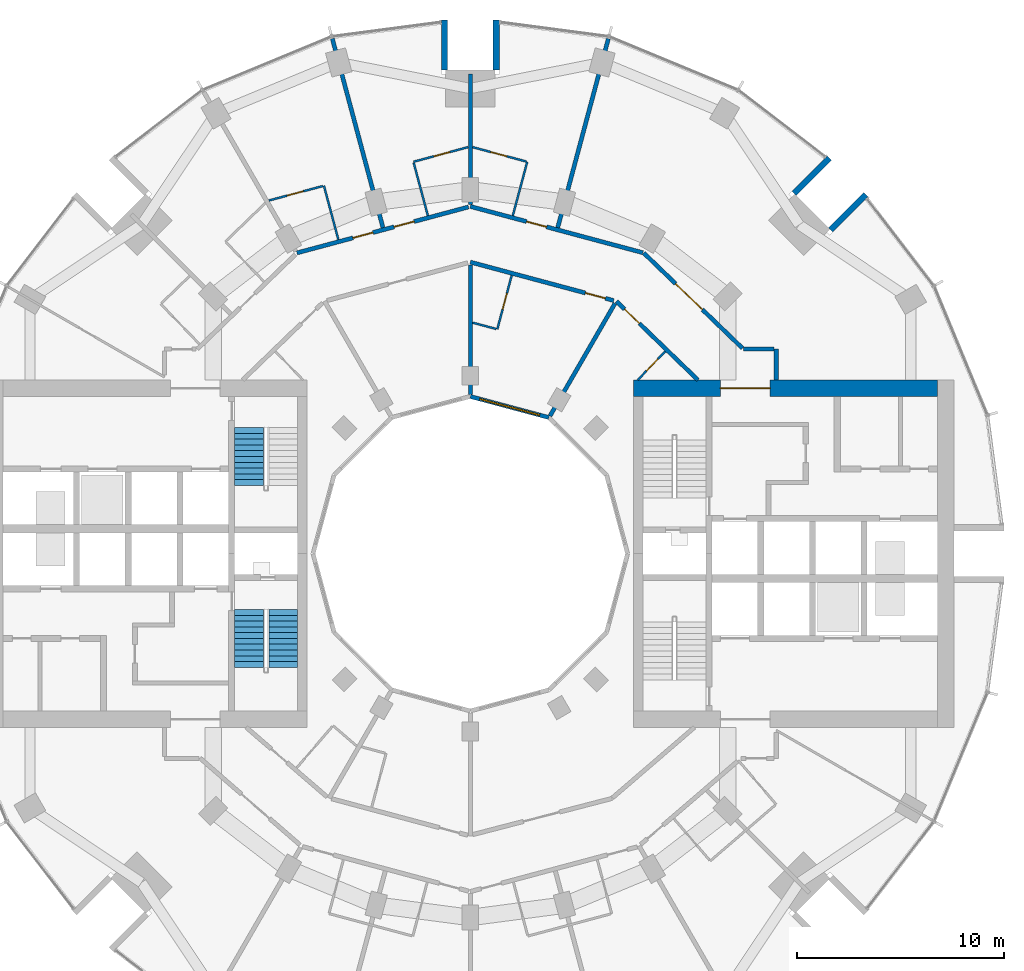
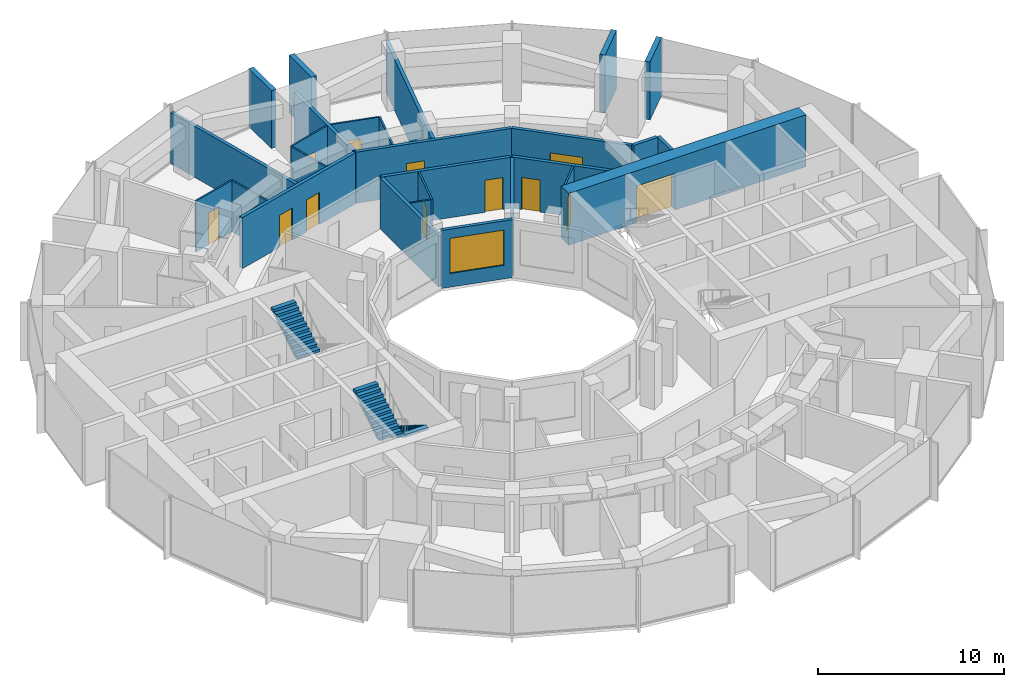
# One storey, part 12 of 15: 27 walls, 12 doors, 3 stair flights, 1 window, 13 openings, 2 elements without a shape of their own.
"""IFC4 building model written with IfcOpenShell, lengths in metres."""

import ifcopenshell
import ifcopenshell.guid

model = None  # the IFC model being written
_history = None  # IfcOwnerHistory: only IFC2X3 demands one
_inside = {}  # id of a spatial element -> (the spatial element, [elements in it])
_under = {}  # id of a project, library or spatial element -> (it, [spatial elements below it])
_declared = {}  # id of a project -> (the project, [libraries it declares])
_typed = {}  # id of a type object -> (the type object, [elements of that type])
_made_of = {}  # id of a material, layer set ... -> (it, [elements and type objects made of it])


def new_model(schema):
    """Start an empty IFC model of exactly this schema.

    Asked for "IFC4X3", IfcOpenShell would pick the latest addendum, in which some entities
    have other attributes; the version numbers below select the first issue.
    IFC2X3 requires an IfcOwnerHistory on every rooted entity: one is made here for all.
    """
    global model, _history
    if schema == "IFC4X3":
        model = ifcopenshell.file(schema_version=(4, 3, 0, 0))
    else:
        model = ifcopenshell.file(schema=schema)
    _inside.clear()
    _under.clear()
    _declared.clear()
    _typed.clear()
    _made_of.clear()
    _history = None
    if model.schema == "IFC2X3":
        org = make("IfcOrganization", Name="unknown")
        user = make(
            "IfcPersonAndOrganization",
            ThePerson=make("IfcPerson", FamilyName="unknown"),
            TheOrganization=org,
        )
        app = make(
            "IfcApplication",
            ApplicationDeveloper=org,
            Version="unknown",
            ApplicationFullName="unknown",
            ApplicationIdentifier="unknown",
        )
        _history = make(
            "IfcOwnerHistory",
            OwningUser=user,
            OwningApplication=app,
            ChangeAction="ADDED",
            CreationDate=0,
        )
    return model


def make(cls, **values):
    """One entity of the class cls with the attributes given. An attribute that is None is left unset."""
    return model.create_entity(
        cls, **{name: value for name, value in values.items() if value is not None}
    )


def rooted(cls, **values):
    """An entity with a GlobalId (a new one), such as an element, a storey or a relation."""
    return make(cls, GlobalId=ifcopenshell.guid.new(), OwnerHistory=_history, **values)


def si_unit(unit_type, name, prefix=None):
    """IfcSIUnit, for example si_unit("LENGTHUNIT", "METRE", prefix="MILLI")."""
    return make("IfcSIUnit", UnitType=unit_type, Prefix=prefix, Name=name)


def assignment(units):
    """IfcUnitAssignment: the units of a project."""
    return None if units is None else make("IfcUnitAssignment", Units=units)


def point(xyz):
    """IfcCartesianPoint."""
    return None if xyz is None else make("IfcCartesianPoint", Coordinates=xyz)


def direction(xyz):
    """IfcDirection."""
    return None if xyz is None else make("IfcDirection", DirectionRatios=xyz)


def frame(location, z_axis=None, x_axis=None):
    """IfcAxis2Placement3D, a coordinate frame: its origin and axes. An axis left out is left unset."""
    return make(
        "IfcAxis2Placement3D",
        Location=point(location),
        Axis=direction(z_axis),
        RefDirection=direction(x_axis),
    )


def frame_2d(location, x_axis=None):
    """IfcAxis2Placement2D, a coordinate frame in the plane: its origin and x axis."""
    return make(
        "IfcAxis2Placement2D", Location=point(location), RefDirection=direction(x_axis)
    )


def origin():
    """The frame at (0, 0, 0) with its axes left unset."""
    return frame((0.0, 0.0, 0.0))


def place(relative_to, where):
    """IfcLocalPlacement: puts the frame where relative to a parent placement (None: the world)."""
    return make(
        "IfcLocalPlacement", PlacementRelTo=relative_to, RelativePlacement=where
    )


def context(
    kind, dimensions, precision=None, world=None, true_north=None, identifier=None
):
    """IfcGeometricRepresentationContext, for example the 3D "Model" context."""
    return make(
        "IfcGeometricRepresentationContext",
        ContextIdentifier=identifier,
        ContextType=kind,
        CoordinateSpaceDimension=dimensions,
        Precision=precision,
        WorldCoordinateSystem=world,
        TrueNorth=true_north,
    )


def subcontext(parent, identifier, kind, view, scale=None):
    """IfcGeometricRepresentationSubContext, for example "Body" below "Model"."""
    return make(
        "IfcGeometricRepresentationSubContext",
        ContextIdentifier=identifier,
        ContextType=kind,
        ParentContext=parent,
        TargetScale=scale,
        TargetView=view,
    )


def project(units=None, contexts=None):
    """IfcProject with its units and contexts."""
    return rooted(
        "IfcProject",
        Name="project",
        RepresentationContexts=contexts,
        UnitsInContext=assignment(units),
    )


def spatial(cls, under=None, at=None, **own):
    """A site, building, storey or space (cls), placed at a placement, below another one or the project."""
    s = rooted(cls, ObjectPlacement=at, **own)
    if under is not None:
        _under.setdefault(under.id(), (under, []))[1].append(s)
    return s


def polyline(points):
    """IfcPolyline through the points."""
    return make("IfcPolyline", Points=[point(p) for p in points])


def profile(cls, at=None, kind="AREA", **sizes):
    """A parametric profile (cls). Its sizes go by their IFC names, for example OverallWidth=200.0."""
    return make(cls, ProfileType=kind, Position=at, **sizes)


def rectangle(**sizes):
    """IfcRectangleProfileDef."""
    return profile("IfcRectangleProfileDef", **sizes)


def outline(outer, holes=None, kind="AREA"):
    """IfcArbitraryClosedProfileDef: a profile drawn as a closed curve; with holes, ...WithVoids."""
    if holes is None:
        return make("IfcArbitraryClosedProfileDef", ProfileType=kind, OuterCurve=outer)
    return make(
        "IfcArbitraryProfileDefWithVoids",
        ProfileType=kind,
        OuterCurve=outer,
        InnerCurves=holes,
    )


def extrude(swept, where, along, depth):
    """IfcExtrudedAreaSolid: the profile swept, set in the frame where, extruded along a direction by depth."""
    return make(
        "IfcExtrudedAreaSolid",
        SweptArea=swept,
        Position=where,
        ExtrudedDirection=direction(along),
        Depth=depth,
    )


def shape(context_of_items, identifier, shape_type, items):
    """IfcShapeRepresentation: the items that make up one representation, for example the "Body"."""
    return make(
        "IfcShapeRepresentation",
        ContextOfItems=context_of_items,
        RepresentationIdentifier=identifier,
        RepresentationType=shape_type,
        Items=items,
    )


def material(Name=None, Category=None):
    """IfcMaterial."""
    return make("IfcMaterial", Name=Name, Category=Category)


def layer(
    of_material, thickness, ventilated=None, Name=None, Category=None, Priority=None
):
    """IfcMaterialLayer: one layer of a wall or slab, of a material (None: an air gap)."""
    return make(
        "IfcMaterialLayer",
        Material=of_material,
        LayerThickness=thickness,
        IsVentilated=ventilated,
        Name=Name,
        Category=Category,
        Priority=Priority,
    )


def layer_set(layers, Name=None):
    """IfcMaterialLayerSet."""
    return make("IfcMaterialLayerSet", MaterialLayers=layers, LayerSetName=Name)


def made_of(thing, what):
    """Note that an element or type object is made of a material, layer set ...; save() writes the relation."""
    if what is not None:
        _made_of.setdefault(what.id(), (what, []))[1].append(thing)
    return thing


def type_object(cls, material=None, **own):
    """A type object (cls), such as IfcWallType, which elements share."""
    return made_of(rooted(cls, **own), material)


def element(
    cls,
    number,
    at=None,
    inside=None,
    cuts=None,
    type_object=None,
    material=None,
    context=None,
    identifier="Body",
    shape_type=None,
    held_by="IfcProductDefinitionShape",
    body=None,
    shapes=None,
    **own,
):
    """One element of the class cls, such as IfcWall. Its Tag is "e" and its number.

    at: its placement. inside: the storey or other place that contains it. cuts: it is an
    opening in that element (IfcRelVoidsElement). A single representation is given by context,
    identifier, shape_type and body (its items); several are given by shapes. held_by: the class
    of the entity that holds the representations. save() writes the other relations.
    """
    e = rooted(cls, Tag="e%d" % number, ObjectPlacement=at, **own)
    if body is not None:
        shapes = [shape(context, identifier, shape_type, body)]
    if shapes is not None:
        e.Representation = make(held_by, Representations=shapes)
    if inside is not None:
        _inside.setdefault(inside.id(), (inside, []))[1].append(e)
    if cuts is not None:
        rooted(
            "IfcRelVoidsElement", RelatingBuildingElement=cuts, RelatedOpeningElement=e
        )
    if type_object is not None:
        _typed.setdefault(type_object.id(), (type_object, []))[1].append(e)
    return made_of(e, material)


def fill(opening, filler):
    """IfcRelFillsElement: the door or window that sits in an opening."""
    return rooted(
        "IfcRelFillsElement",
        RelatingOpeningElement=opening,
        RelatedBuildingElement=filler,
    )


def aggregate(whole, parts):
    """IfcRelAggregates: a whole, such as a stair, and the parts it consists of."""
    return rooted("IfcRelAggregates", RelatingObject=whole, RelatedObjects=parts)


def save(model, path):
    """Write the relations noted so far, then the file.

    IfcRelAggregates (storeys below a building ...), IfcRelContainedInSpatialStructure (elements
    in a storey), IfcRelDefinesByType, IfcRelAssociatesMaterial and IfcRelDeclares: one each for
    every whole, place, type object, material and project.
    """
    for whole, parts in _under.values():
        aggregate(whole, parts)
    for where, things in _inside.values():
        rooted(
            "IfcRelContainedInSpatialStructure",
            RelatedElements=things,
            RelatingStructure=where,
        )
    for kind, things in _typed.values():
        rooted("IfcRelDefinesByType", RelatedObjects=things, RelatingType=kind)
    for what, things in _made_of.values():
        rooted("IfcRelAssociatesMaterial", RelatedObjects=things, RelatingMaterial=what)
    for by, libraries in _declared.values():
        rooted("IfcRelDeclares", RelatingContext=by, RelatedDefinitions=libraries)
    model.write(path)


model = new_model("IFC4")

# Units and contexts
model_context = context("Model", 3, precision=1e-05, world=origin(), true_north=direction((0.0, 1.0)))
body_context = subcontext(model_context, "Body", "Model", "MODEL_VIEW")
ifc_project = project(units=[si_unit("LENGTHUNIT", "METRE"), si_unit("AREAUNIT", "SQUARE_METRE"), si_unit("VOLUMEUNIT", "CUBIC_METRE"), si_unit("PLANEANGLEUNIT", "RADIAN"), si_unit("MASSUNIT", "GRAM", prefix="KILO")], contexts=[model_context])

# Site, building, storey
site_placement = place(None, origin())
site = spatial("IfcSite", under=ifc_project, at=site_placement, CompositionType="ELEMENT")
building_placement = place(site_placement, origin())
building = spatial("IfcBuilding", under=site, at=building_placement, Name="Torre Brocal", CompositionType="ELEMENT")
storey_placement = place(building_placement, frame((0.0, 0.0, 70.60009765625)))
storey = spatial("IfcBuildingStorey", under=building, at=storey_placement, Name="L16", CompositionType="ELEMENT", Elevation=70.60009765625)

# Wall, opening, door
ifc_material_1 = material(Name="Concrete C80", Category="concrete")
ifc_layer_1 = layer(ifc_material_1, 0.800048828125)
ifc_layer_set_1 = layer_set([ifc_layer_1], Name="Concrete C80")
wall_type_1 = type_object("IfcWallType", Name="CORE WALL 800 C80 UNDER 400 SLAB", PredefinedType="SHEAR", material=ifc_layer_set_1)
wall_1_placement = place(storey_placement, frame((87.89990234375, 83.0, 0.0), z_axis=(0.0, 0.0, 1.0), x_axis=(1.0, 0.0, 0.0)))
wall_1 = element("IfcWall", 1, at=wall_1_placement, inside=storey, type_object=wall_type_1, Name="Wall CW800-80-S400", PredefinedType="SHEAR", context=body_context, shape_type="SweptSolid", body=[
    extrude(rectangle(XDim=14.7001953125, YDim=0.800048828125, at=frame_2d((7.35009765625, 0.0))), origin(), (0.0, 0.0, 1.0), 3.39990234375),
])
opening_1_placement = place(wall_1_placement, frame((4.199951171875, 0.0, 0.0)))
opening_1 = element("IfcOpeningElement", 2, at=opening_1_placement, cuts=wall_1, Name="Opening E-D24", PredefinedType="OPENING", context=body_context, shape_type="SweptSolid", body=[
    extrude(rectangle(XDim=2.39990234375, YDim=2.39990234375, at=frame_2d((1.199951171875, 1.199951171875))), frame((0.0, 0.409912109375, 0.0), z_axis=(0.0, -1.0, 0.0), x_axis=(1.0, 0.0, 0.0)), (0.0, 0.0, 1.0), 0.820068359375),
])
ifc_material_2 = material(Name="Steel A653", Category="steel")
door_type_1 = type_object("IfcDoorType", Name="DOUBLE FIRE DOOR FD90 2400X2400", OperationType="DOUBLE_DOOR_SINGLE_SWING", PredefinedType="DOOR", material=ifc_material_2)
door_1_placement = place(opening_1_placement, frame((2.39990234375, 0.0, 0.0), z_axis=(0.0, 0.0, 1.0), x_axis=(-1.0, 0.0, 0.0)))
door_1 = element("IfcDoor", 3, at=door_1_placement, inside=storey, type_object=door_type_1, Name="Door E-D24", OperationType="DOUBLE_DOOR_SINGLE_SWING", OverallHeight=2.39990234375, OverallWidth=2.39990234375, PredefinedType="DOOR", context=body_context, shape_type="SweptSolid", body=[
    extrude(rectangle(XDim=2.39990234375, YDim=2.39990234375, at=frame_2d((1.199951171875, 1.199951171875))), frame((0.0, 0.02490234375, 0.0), z_axis=(0.0, -1.0, 0.0), x_axis=(1.0, 0.0, 0.0)), (0.0, 0.0, 1.0), 0.050048828125),
])
fill(opening_1, door_1)

# Walls
ifc_material_3 = material(Name="Concrete C80", Category="concrete")
ifc_layer_2 = layer(ifc_material_3, 0.300048828125)
ifc_layer_set_2 = layer_set([ifc_layer_2], Name="Concrete C80")
wall_type_2 = type_object("IfcWallType", Name="NOTCH RETURN WALL 300 C80", PredefinedType="NOTDEFINED", material=ifc_layer_set_2)
for number, where, z_axis, x_axis, name in (
    (4, (97.43017578125, 90.662353515625, 0.0), (0.0, 0.0, 1.0), (0.707106781187, 0.707106781187, 0.0), "NOTCH RETURN WALL"),
    (5, (95.662353515625, 92.43017578125, 0.0), (0.0, 0.0, 1.0), (0.707106781187, 0.707106781187, 0.0), "NOTCH RETURN WALL"),
    (6, (81.25, 98.39990234375, 0.0), (0.0, 0.0, 1.0), (0.0, 1.0, 0.0), "NOTCH RETURN WALL"),
    (7, (78.75, 98.39990234375, 0.0), (0.0, 0.0, 1.0), (0.0, 1.0, 0.0), "NOTCH RETURN WALL"),
):
    element("IfcWall", number, at=place(storey_placement, frame(where, z_axis=z_axis, x_axis=x_axis)), inside=storey, type_object=wall_type_2, Name=name, PredefinedType="NOTDEFINED", context=body_context, shape_type="SweptSolid", body=[
        extrude(rectangle(XDim=2.415771484375, YDim=0.300048828125, at=frame_2d((1.2080078125, 0.0))), origin(), (0.0, 0.0, 1.0), 3.7998046875),
    ])

# Wall, opening, door
ifc_material_4 = material(Name="Gypsum board", Category="Gypsum")
ifc_layer_3 = layer(ifc_material_4, 0.10009765625)
ifc_layer_set_3 = layer_set([ifc_layer_3], Name="Gypsum board")
wall_type_3 = type_object("IfcWallType", Name="PARTITION 100", PredefinedType="PARTITIONING", material=ifc_layer_set_3)
wall_2_placement = place(storey_placement, frame((70.25830078125, 92.084716796875, 0.0), z_axis=(0.0, 0.0, 1.0), x_axis=(0.965948051503, 0.258736085224, 0.0)))
wall_2 = element("IfcWall", 8, at=wall_2_placement, inside=storey, type_object=wall_type_3, Name="BATHROOM WALL", PredefinedType="PARTITIONING", context=body_context, shape_type="SweptSolid", body=[
    extrude(rectangle(XDim=2.703369140625, YDim=0.10009765625, at=frame_2d((1.3515625, 0.0))), origin(), (0.0, 0.0, 1.0), 3.349853515625),
])
opening_2_placement = place(wall_2_placement, frame((0.921630859375, 0.0, 0.0)))
opening_2 = element("IfcOpeningElement", 9, at=opening_2_placement, cuts=wall_2, Name="Opening H04-D07", PredefinedType="OPENING", context=body_context, shape_type="SweptSolid", body=[
    extrude(rectangle(XDim=0.800048828125, YDim=2.10009765625, at=frame_2d((0.39990234375, 1.050048828125))), frame((0.0, 0.06005859375, 0.0), z_axis=(0.0, -1.0, 0.0), x_axis=(1.0, 0.0, 0.0)), (0.0, 0.0, 1.0), 0.1201171875),
])
ifc_material_5 = material(Name="Timber", Category="wood")
door_type_2 = type_object("IfcDoorType", Name="BATHROOM DOOR 800X2100", OperationType="SINGLE_SWING_LEFT", PredefinedType="DOOR", material=ifc_material_5)
door_2_placement = place(opening_2_placement, frame((0.800048828125, 0.0, 0.0), z_axis=(0.0, 0.0, 1.0), x_axis=(-1.0, 0.0, 0.0)))
door_2 = element("IfcDoor", 10, at=door_2_placement, inside=storey, type_object=door_type_2, Name="H04-D07", OperationType="SINGLE_SWING_RIGHT", OverallHeight=2.10009765625, OverallWidth=0.800048828125, PredefinedType="DOOR", context=body_context, shape_type="SweptSolid", body=[
    extrude(rectangle(XDim=0.800048828125, YDim=2.10009765625, at=frame_2d((0.39990234375, 1.050048828125))), frame((0.0, 0.02490234375, 0.0), z_axis=(0.0, -1.0, 0.0), x_axis=(1.0, 0.0, 0.0)), (0.0, 0.0, 1.0), 0.050048828125),
])
fill(opening_2, door_2)

# Walls
wall_3_placement = place(storey_placement, frame((72.91796875, 92.797119140625, 0.0), z_axis=(0.0, 0.0, 1.0), x_axis=(0.25867580527, -0.965964195904, 0.0)))
element("IfcWall", 11, at=wall_3_placement, inside=storey, type_object=wall_type_3, Name="BATHROOM WALL", PredefinedType="PARTITIONING", context=body_context, shape_type="SweptSolid", body=[
    extrude(rectangle(XDim=2.69921875, YDim=0.10009765625, at=frame_2d((1.349609375, 0.0))), origin(), (0.0, 0.0, 1.0), 3.349853515625),
])
wall_4_placement = place(storey_placement, frame((77.260009765625, 93.90869140625, 0.0), z_axis=(0.0, 0.0, 1.0), x_axis=(0.258935674139, -0.965894568086, 0.0)))
element("IfcWall", 12, at=wall_4_placement, inside=storey, type_object=wall_type_3, Name="BATHROOM WALL", PredefinedType="PARTITIONING", context=body_context, shape_type="SweptSolid", body=[
    extrude(rectangle(XDim=2.6494140625, YDim=0.10009765625, at=frame_2d((1.32470703125, 0.0))), origin(), (0.0, 0.0, 1.0), 3.349853515625),
])

# Wall, opening, door
wall_5_placement = place(storey_placement, frame((77.2470703125, 93.956787109375, 0.0), z_axis=(0.0, 0.0, 1.0), x_axis=(0.965922199757, 0.258832579125, 0.0)))
wall_5 = element("IfcWall", 13, at=wall_5_placement, inside=storey, type_object=wall_type_3, Name="BATHROOM WALL", PredefinedType="PARTITIONING", context=body_context, shape_type="SweptSolid", body=[
    extrude(rectangle(XDim=2.739990234375, YDim=0.10009765625, at=frame_2d((1.3701171875, 0.0))), origin(), (0.0, 0.0, 1.0), 3.349853515625),
])
opening_3_placement = place(wall_5_placement, frame((1.025146484375, 0.0, 0.0)))
opening_3 = element("IfcOpeningElement", 14, at=opening_3_placement, cuts=wall_5, Name="Opening H04-D05", PredefinedType="OPENING", context=body_context, shape_type="SweptSolid", body=[
    extrude(rectangle(XDim=0.800048828125, YDim=2.10009765625, at=frame_2d((0.39990234375, 1.050048828125))), frame((0.0, 0.06005859375, 0.0), z_axis=(0.0, -1.0, 0.0), x_axis=(1.0, 0.0, 0.0)), (0.0, 0.0, 1.0), 0.1201171875),
])
door_3_placement = place(opening_3_placement, frame((0.800048828125, 0.0, 0.0), z_axis=(0.0, 0.0, 1.0), x_axis=(-1.0, 0.0, 0.0)))
door_3 = element("IfcDoor", 15, at=door_3_placement, inside=storey, type_object=door_type_2, Name="H04-D05", OperationType="SINGLE_SWING_LEFT", OverallHeight=2.10009765625, OverallWidth=0.800048828125, PredefinedType="DOOR", context=body_context, shape_type="SweptSolid", body=[
    extrude(rectangle(XDim=0.800048828125, YDim=2.10009765625, at=frame_2d((0.39990234375, 1.050048828125))), frame((0.0, 0.02490234375, 0.0), z_axis=(0.0, -1.0, 0.0), x_axis=(1.0, 0.0, 0.0)), (0.0, 0.0, 1.0), 0.050048828125),
])
fill(opening_3, door_3)

# Wall
wall_6_placement = place(storey_placement, frame((80.106201171875, 86.176513671875, 0.0), z_axis=(0.0, 0.0, 1.0), x_axis=(0.966002973184, -0.258530957139, 0.0)))
element("IfcWall", 16, at=wall_6_placement, inside=storey, type_object=wall_type_3, Name="BATHROOM WALL", PredefinedType="PARTITIONING", context=body_context, shape_type="SweptSolid", body=[
    extrude(rectangle(XDim=1.18994140625, YDim=0.10009765625, at=frame_2d((0.594970703125, 0.0))), origin(), (0.0, 0.0, 1.0), 3.349853515625),
])

# Wall, opening, door
wall_7_placement = place(storey_placement, frame((80.106201171875, 94.66650390625, 0.0), z_axis=(0.0, 0.0, 1.0), x_axis=(0.96589821458, -0.258922071427, 0.0)))
wall_7 = element("IfcWall", 17, at=wall_7_placement, inside=storey, type_object=wall_type_3, Name="BATHROOM WALL", PredefinedType="PARTITIONING", context=body_context, shape_type="SweptSolid", body=[
    extrude(rectangle(XDim=2.690185546875, YDim=0.10009765625, at=frame_2d((1.34521484375, 0.0))), origin(), (0.0, 0.0, 1.0), 3.349853515625),
])
opening_4_placement = place(wall_7_placement, frame((0.9150390625, 0.0, 0.0)))
opening_4 = element("IfcOpeningElement", 18, at=opening_4_placement, cuts=wall_7, Name="Opening H04-D03", PredefinedType="OPENING", context=body_context, shape_type="SweptSolid", body=[
    extrude(rectangle(XDim=0.800048828125, YDim=2.10009765625, at=frame_2d((0.39990234375, 1.050048828125))), frame((0.0, 0.06005859375, 0.0), z_axis=(0.0, -1.0, 0.0), x_axis=(1.0, 0.0, 0.0)), (0.0, 0.0, 1.0), 0.1201171875),
])
door_4_placement = place(opening_4_placement, frame((0.800048828125, 0.0, 0.0), z_axis=(0.0, 0.0, 1.0), x_axis=(-1.0, 0.0, 0.0)))
door_4 = element("IfcDoor", 19, at=door_4_placement, inside=storey, type_object=door_type_2, Name="H04-D03", OperationType="SINGLE_SWING_RIGHT", OverallHeight=2.10009765625, OverallWidth=0.800048828125, PredefinedType="DOOR", context=body_context, shape_type="SweptSolid", body=[
    extrude(rectangle(XDim=0.800048828125, YDim=2.10009765625, at=frame_2d((0.39990234375, 1.050048828125))), frame((0.0, 0.02490234375, 0.0), z_axis=(0.0, -1.0, 0.0), x_axis=(1.0, 0.0, 0.0)), (0.0, 0.0, 1.0), 0.050048828125),
])
fill(opening_4, door_4)

wall_8_placement = place(storey_placement, frame((81.303955078125, 85.85595703125, 0.0), z_axis=(0.0, 0.0, 1.0), x_axis=(0.25867580527, 0.965964195904, 0.0)))
wall_8 = element("IfcWall", 20, at=wall_8_placement, inside=storey, type_object=wall_type_3, Name="BATHROOM WALL", PredefinedType="PARTITIONING", context=body_context, shape_type="SweptSolid", body=[
    extrude(rectangle(XDim=2.69921875, YDim=0.10009765625, at=frame_2d((1.349609375, 0.0))), origin(), (0.0, 0.0, 1.0), 3.349853515625),
])
opening_5_placement = place(wall_8_placement, frame((0.99951171875, 0.0, 0.0)))
opening_5 = element("IfcOpeningElement", 21, at=opening_5_placement, cuts=wall_8, Name="Opening H04-D16", PredefinedType="OPENING", context=body_context, shape_type="SweptSolid", body=[
    extrude(rectangle(XDim=0.800048828125, YDim=2.10009765625, at=frame_2d((0.39990234375, 1.050048828125))), frame((0.0, 0.06005859375, 0.0), z_axis=(0.0, -1.0, 0.0), x_axis=(1.0, 0.0, 0.0)), (0.0, 0.0, 1.0), 0.1201171875),
])
door_5_placement = place(opening_5_placement, origin())
door_5 = element("IfcDoor", 22, at=door_5_placement, inside=storey, type_object=door_type_2, Name="H04-D16", OperationType="SINGLE_SWING_RIGHT", OverallHeight=2.10009765625, OverallWidth=0.800048828125, PredefinedType="DOOR", context=body_context, shape_type="SweptSolid", body=[
    extrude(rectangle(XDim=0.800048828125, YDim=2.10009765625, at=frame_2d((0.39990234375, 1.050048828125))), frame((0.0, 0.02490234375, 0.0), z_axis=(0.0, -1.0, 0.0), x_axis=(1.0, 0.0, 0.0)), (0.0, 0.0, 1.0), 0.050048828125),
])
fill(opening_5, door_5)

# Wall
wall_9_placement = place(storey_placement, frame((82.053955078125, 91.349609375, 0.0), z_axis=(0.0, 0.0, 1.0), x_axis=(0.258928960762, 0.965896367774, 0.0)))
element("IfcWall", 23, at=wall_9_placement, inside=storey, type_object=wall_type_3, Name="BATHROOM WALL", PredefinedType="PARTITIONING", context=body_context, shape_type="SweptSolid", body=[
    extrude(rectangle(XDim=2.699462890625, YDim=0.10009765625, at=frame_2d((1.349609375, 0.0))), origin(), (0.0, 0.0, 1.0), 3.349853515625),
])

# Wall, opening, door
wall_10_placement = place(storey_placement, frame((88.094970703125, 83.39990234375, 0.0), z_axis=(0.0, 0.0, 1.0), x_axis=(0.694447472534, 0.719543402368, 0.0)))
wall_10 = element("IfcWall", 24, at=wall_10_placement, inside=storey, type_object=wall_type_3, Name="BATHROOM WALL", PredefinedType="PARTITIONING", context=body_context, shape_type="SweptSolid", body=[
    extrude(rectangle(XDim=1.92626953125, YDim=0.10009765625, at=frame_2d((0.963134765625, 0.0))), origin(), (0.0, 0.0, 1.0), 3.349853515625),
])
opening_6_placement = place(wall_10_placement, frame((0.613037109375, 0.0, 0.0)))
opening_6 = element("IfcOpeningElement", 25, at=opening_6_placement, cuts=wall_10, Name="Opening H04-D14", PredefinedType="OPENING", context=body_context, shape_type="SweptSolid", body=[
    extrude(rectangle(XDim=0.800048828125, YDim=2.10009765625, at=frame_2d((0.39990234375, 1.050048828125))), frame((0.0, 0.06005859375, 0.0), z_axis=(0.0, -1.0, 0.0), x_axis=(1.0, 0.0, 0.0)), (0.0, 0.0, 1.0), 0.1201171875),
])
door_6_placement = place(opening_6_placement, frame((0.800048828125, 0.0, 0.0), z_axis=(0.0, 0.0, 1.0), x_axis=(-1.0, 0.0, 0.0)))
door_6 = element("IfcDoor", 26, at=door_6_placement, inside=storey, type_object=door_type_2, Name="H04-D14", OperationType="SINGLE_SWING_LEFT", OverallHeight=2.10009765625, OverallWidth=0.800048828125, PredefinedType="DOOR", context=body_context, shape_type="SweptSolid", body=[
    extrude(rectangle(XDim=0.800048828125, YDim=2.10009765625, at=frame_2d((0.39990234375, 1.050048828125))), frame((0.0, 0.02490234375, 0.0), z_axis=(0.0, -1.0, 0.0), x_axis=(1.0, 0.0, 0.0)), (0.0, 0.0, 1.0), 0.050048828125),
])
fill(opening_6, door_6)

# Wall, openings, doors
ifc_material_6 = material(Name="Gypsum board", Category="Gypsum")
ifc_layer_4 = layer(ifc_material_6, 0.199951171875)
ifc_layer_set_4 = layer_set([ifc_layer_4], Name="Gypsum board")
wall_type_4 = type_object("IfcWallType", Name="PARTITION 200 EI60", PredefinedType="PARTITIONING", material=ifc_layer_set_4)
wall_11_placement = place(storey_placement, frame((71.61376953125, 89.5498046875, 0.0), z_axis=(0.0, 0.0, 1.0), x_axis=(0.965982156828, 0.258608725086, 0.0)))
wall_11 = element("IfcWall", 27, at=wall_11_placement, inside=storey, type_object=wall_type_4, Name="GUESTROOM CORRIDOR WALL", PredefinedType="PARTITIONING", context=body_context, shape_type="SweptSolid", body=[
    extrude(rectangle(XDim=8.591796875, YDim=0.199951171875, at=frame_2d((4.2958984375, 0.0))), origin(), (0.0, 0.0, 1.0), 3.349853515625),
])
opening_7_placement = place(wall_11_placement, frame((4.864990234375, 0.0, 0.0)))
opening_7 = element("IfcOpeningElement", 28, at=opening_7_placement, cuts=wall_11, Name="Opening H04-D04", PredefinedType="OPENING", context=body_context, shape_type="SweptSolid", body=[
    extrude(rectangle(XDim=1.0, YDim=2.10009765625, at=frame_2d((0.5, 1.050048828125))), frame((0.0, 0.10986328125, 0.0), z_axis=(0.0, -1.0, 0.0), x_axis=(1.0, 0.0, 0.0)), (0.0, 0.0, 1.0), 0.219970703125),
])
opening_8_placement = place(wall_11_placement, frame((2.804443359375, 0.0, 0.0)))
opening_8 = element("IfcOpeningElement", 29, at=opening_8_placement, cuts=wall_11, Name="Opening H04-D06", PredefinedType="OPENING", context=body_context, shape_type="SweptSolid", body=[
    extrude(rectangle(XDim=1.0, YDim=2.10009765625, at=frame_2d((0.5, 1.050048828125))), frame((0.0, 0.10986328125, 0.0), z_axis=(0.0, -1.0, 0.0), x_axis=(1.0, 0.0, 0.0)), (0.0, 0.0, 1.0), 0.219970703125),
])
ifc_material_7 = material(Name="Timber", Category="wood")
door_type_3 = type_object("IfcDoorType", Name="FLAT ENTRY DOOR FD30S 1000X2100", OperationType="SINGLE_SWING_RIGHT", PredefinedType="DOOR", material=ifc_material_7)
door_7_placement = place(opening_7_placement, origin())
door_7 = element("IfcDoor", 30, at=door_7_placement, inside=storey, type_object=door_type_3, Name="H04-D04", OperationType="SINGLE_SWING_LEFT", OverallHeight=2.10009765625, OverallWidth=1.0, PredefinedType="DOOR", context=body_context, shape_type="SweptSolid", body=[
    extrude(rectangle(XDim=1.0, YDim=2.10009765625, at=frame_2d((0.5, 1.050048828125))), frame((0.0, 0.02490234375, 0.0), z_axis=(0.0, -1.0, 0.0), x_axis=(1.0, 0.0, 0.0)), (0.0, 0.0, 1.0), 0.050048828125),
])
fill(opening_7, door_7)
door_8_placement = place(opening_8_placement, origin())
door_8 = element("IfcDoor", 31, at=door_8_placement, inside=storey, type_object=door_type_3, Name="H04-D06", OperationType="SINGLE_SWING_RIGHT", OverallHeight=2.10009765625, OverallWidth=1.0, PredefinedType="DOOR", context=body_context, shape_type="SweptSolid", body=[
    extrude(rectangle(XDim=1.0, YDim=2.10009765625, at=frame_2d((0.5, 1.050048828125))), frame((0.0, 0.02490234375, 0.0), z_axis=(0.0, -1.0, 0.0), x_axis=(1.0, 0.0, 0.0)), (0.0, 0.0, 1.0), 0.050048828125),
])
fill(opening_8, door_8)

# Walls
wall_12_placement = place(storey_placement, frame((73.322998046875, 99.919189453125, 0.0), z_axis=(0.0, 0.0, 1.0), x_axis=(0.258817230439, -0.965926312525, 0.0)))
element("IfcWall", 32, at=wall_12_placement, inside=storey, type_object=wall_type_4, Name="PARTY PARTITION", PredefinedType="PARTITIONING", context=body_context, shape_type="SweptSolid", body=[
    extrude(rectangle(XDim=9.474365234375, YDim=0.199951171875, at=frame_2d((4.7373046875, 0.0))), origin(), (0.0, 0.0, 1.0), 3.349853515625),
])
wall_13_placement = place(storey_placement, frame((80.0, 82.698974609375, 0.0), z_axis=(0.0, 0.0, 1.0), x_axis=(0.0, 1.0, 0.0)))
element("IfcWall", 33, at=wall_13_placement, inside=storey, type_object=wall_type_4, Name="BATHROOM WALL", PredefinedType="PARTITIONING", context=body_context, shape_type="SweptSolid", body=[
    extrude(rectangle(XDim=6.275146484375, YDim=0.199951171875, at=frame_2d((3.1376953125, 0.0))), origin(), (0.0, 0.0, 1.0), 3.349853515625),
])

# Wall, opening, door
wall_14_placement = place(storey_placement, frame((80.0, 89.10400390625, 0.0), z_axis=(0.0, 0.0, 1.0), x_axis=(0.965854247166, -0.25908603442, 0.0)))
wall_14 = element("IfcWall", 34, at=wall_14_placement, inside=storey, type_object=wall_type_4, Name="GUESTROOM CORRIDOR WALL", PredefinedType="PARTITIONING", context=body_context, shape_type="SweptSolid", body=[
    extrude(rectangle(XDim=7.183349609375, YDim=0.199951171875, at=frame_2d((3.591796875, 0.0))), origin(), (0.0, 0.0, 1.0), 3.349853515625),
])
opening_9_placement = place(wall_14_placement, frame((5.76318359375, 0.0, 0.0)))
opening_9 = element("IfcOpeningElement", 35, at=opening_9_placement, cuts=wall_14, Name="Opening H04-D15", PredefinedType="OPENING", context=body_context, shape_type="SweptSolid", body=[
    extrude(rectangle(XDim=1.0, YDim=2.10009765625, at=frame_2d((0.5, 1.050048828125))), frame((0.0, 0.10986328125, 0.0), z_axis=(0.0, -1.0, 0.0), x_axis=(1.0, 0.0, 0.0)), (0.0, 0.0, 1.0), 0.219970703125),
])
door_9_placement = place(opening_9_placement, frame((1.0, 0.0, 0.0), z_axis=(0.0, 0.0, 1.0), x_axis=(-1.0, 0.0, 0.0)))
door_9 = element("IfcDoor", 36, at=door_9_placement, inside=storey, type_object=door_type_3, Name="H04-D15", OperationType="SINGLE_SWING_LEFT", OverallHeight=2.10009765625, OverallWidth=1.0, PredefinedType="DOOR", context=body_context, shape_type="SweptSolid", body=[
    extrude(rectangle(XDim=1.0, YDim=2.10009765625, at=frame_2d((0.5, 1.050048828125))), frame((0.0, 0.02490234375, 0.0), z_axis=(0.0, -1.0, 0.0), x_axis=(1.0, 0.0, 0.0)), (0.0, 0.0, 1.0), 0.050048828125),
])
fill(opening_9, door_9)

# Wall
wall_15_placement = place(storey_placement, frame((80.0, 91.885986328125, 0.0), z_axis=(0.0, 0.0, 1.0), x_axis=(0.0, 1.0, 0.0)))
element("IfcWall", 37, at=wall_15_placement, inside=storey, type_object=wall_type_4, Name="BATHROOM WALL", PredefinedType="PARTITIONING", context=body_context, shape_type="SweptSolid", body=[
    extrude(rectangle(XDim=6.31396484375, YDim=0.199951171875, at=frame_2d((3.156982421875, 0.0))), origin(), (0.0, 0.0, 1.0), 3.349853515625),
])

# Wall, opening, door
wall_16_placement = place(storey_placement, frame((80.0, 91.79638671875, 0.0), z_axis=(0.0, 0.0, 1.0), x_axis=(0.965891796243, -0.258946013582, 0.0)))
wall_16 = element("IfcWall", 38, at=wall_16_placement, inside=storey, type_object=wall_type_4, Name="GUESTROOM CORRIDOR WALL", PredefinedType="PARTITIONING", context=body_context, shape_type="SweptSolid", body=[
    extrude(rectangle(XDim=8.641845703125, YDim=0.199951171875, at=frame_2d((4.32080078125, 0.0))), origin(), (0.0, 0.0, 1.0), 3.349853515625),
])
opening_10_placement = place(wall_16_placement, frame((2.816650390625, 0.0, 0.0)))
opening_10 = element("IfcOpeningElement", 39, at=opening_10_placement, cuts=wall_16, Name="Opening H04-D02", PredefinedType="OPENING", context=body_context, shape_type="SweptSolid", body=[
    extrude(rectangle(XDim=1.0, YDim=2.10009765625, at=frame_2d((0.5, 1.050048828125))), frame((0.0, 0.10986328125, 0.0), z_axis=(0.0, -1.0, 0.0), x_axis=(1.0, 0.0, 0.0)), (0.0, 0.0, 1.0), 0.219970703125),
])
door_10_placement = place(opening_10_placement, origin())
door_10 = element("IfcDoor", 40, at=door_10_placement, inside=storey, type_object=door_type_3, Name="H04-D02", OperationType="SINGLE_SWING_RIGHT", OverallHeight=2.10009765625, OverallWidth=1.0, PredefinedType="DOOR", context=body_context, shape_type="SweptSolid", body=[
    extrude(rectangle(XDim=1.0, YDim=2.10009765625, at=frame_2d((0.5, 1.050048828125))), frame((0.0, 0.02490234375, 0.0), z_axis=(0.0, -1.0, 0.0), x_axis=(1.0, 0.0, 0.0)), (0.0, 0.0, 1.0), 0.050048828125),
])
fill(opening_10, door_10)

# Walls
wall_17_placement = place(storey_placement, frame((83.8544921875, 81.663818359375, 0.0), z_axis=(0.0, 0.0, 1.0), x_axis=(0.500224530691, 0.865895732115, 0.0)))
element("IfcWall", 41, at=wall_17_placement, inside=storey, type_object=wall_type_4, Name="PARTY PARTITION", PredefinedType="PARTITIONING", context=body_context, shape_type="SweptSolid", body=[
    extrude(rectangle(XDim=6.28515625, YDim=0.199951171875, at=frame_2d((3.142578125, 0.0))), origin(), (0.0, 0.0, 1.0), 3.349853515625),
])
wall_18_placement = place(storey_placement, frame((84.225830078125, 90.768310546875, 0.0), z_axis=(0.0, 0.0, 1.0), x_axis=(0.258891088655, 0.965906519398, 0.0)))
element("IfcWall", 42, at=wall_18_placement, inside=storey, type_object=wall_type_4, Name="PARTY PARTITION", PredefinedType="PARTITIONING", context=body_context, shape_type="SweptSolid", body=[
    extrude(rectangle(XDim=9.4736328125, YDim=0.199951171875, at=frame_2d((4.73681640625, 0.0))), origin(), (0.0, 0.0, 1.0), 3.349853515625),
])

# Wall, opening, door
wall_19_placement = place(storey_placement, frame((87.06396484375, 87.2109375, 0.0), z_axis=(0.0, 0.0, 1.0), x_axis=(0.719540958932, -0.694450004262, 0.0)))
wall_19 = element("IfcWall", 43, at=wall_19_placement, inside=storey, type_object=wall_type_4, Name="GUESTROOM CORRIDOR WALL", PredefinedType="PARTITIONING", context=body_context, shape_type="SweptSolid", body=[
    extrude(rectangle(XDim=5.48779296875, YDim=0.199951171875, at=frame_2d((2.743896484375, 0.0))), origin(), (0.0, 0.0, 1.0), 3.349853515625),
])
opening_11_placement = place(wall_19_placement, frame((0.550048828125, 0.0, 0.0)))
opening_11 = element("IfcOpeningElement", 44, at=opening_11_placement, cuts=wall_19, Name="Opening H04-D13", PredefinedType="OPENING", context=body_context, shape_type="SweptSolid", body=[
    extrude(rectangle(XDim=1.0, YDim=2.10009765625, at=frame_2d((0.5, 1.050048828125))), frame((0.0, 0.10986328125, 0.0), z_axis=(0.0, -1.0, 0.0), x_axis=(1.0, 0.0, 0.0)), (0.0, 0.0, 1.0), 0.219970703125),
])
door_11_placement = place(opening_11_placement, frame((1.0, 0.0, 0.0), z_axis=(0.0, 0.0, 1.0), x_axis=(-1.0, 0.0, 0.0)))
door_11 = element("IfcDoor", 45, at=door_11_placement, inside=storey, type_object=door_type_3, Name="H04-D13", OperationType="SINGLE_SWING_RIGHT", OverallHeight=2.10009765625, OverallWidth=1.0, PredefinedType="DOOR", context=body_context, shape_type="SweptSolid", body=[
    extrude(rectangle(XDim=1.0, YDim=2.10009765625, at=frame_2d((0.5, 1.050048828125))), frame((0.0, 0.02490234375, 0.0), z_axis=(0.0, -1.0, 0.0), x_axis=(1.0, 0.0, 0.0)), (0.0, 0.0, 1.0), 0.050048828125),
])
fill(opening_11, door_11)

wall_20_placement = place(storey_placement, frame((88.385986328125, 89.548828125, 0.0), z_axis=(0.0, 0.0, 1.0), x_axis=(0.719560576741, -0.694429677073, 0.0)))
wall_20 = element("IfcWall", 46, at=wall_20_placement, inside=storey, type_object=wall_type_4, Name="CORRIDOR WALL", PredefinedType="PARTITIONING", context=body_context, shape_type="SweptSolid", body=[
    extrude(rectangle(XDim=6.63525390625, YDim=0.199951171875, at=frame_2d((3.317626953125, 0.0))), origin(), (0.0, 0.0, 1.0), 3.349853515625),
])
opening_12_placement = place(wall_20_placement, frame((2.147216796875, 0.0, 0.0)))
opening_12 = element("IfcOpeningElement", 47, at=opening_12_placement, cuts=wall_20, Name="Opening H04-D01", PredefinedType="OPENING", context=body_context, shape_type="SweptSolid", body=[
    extrude(rectangle(XDim=1.800048828125, YDim=2.10009765625, at=frame_2d((0.89990234375, 1.050048828125))), frame((0.0, 0.10986328125, 0.0), z_axis=(0.0, -1.0, 0.0), x_axis=(1.0, 0.0, 0.0)), (0.0, 0.0, 1.0), 0.219970703125),
])
ifc_material_8 = material(Name="Timber", Category="wood")
door_type_4 = type_object("IfcDoorType", Name="DOUBLE DOOR 1800X2100", OperationType="DOUBLE_DOOR_SINGLE_SWING", PredefinedType="DOOR", material=ifc_material_8)
door_12_placement = place(opening_12_placement, origin())
door_12 = element("IfcDoor", 48, at=door_12_placement, inside=storey, type_object=door_type_4, Name="H04-D01", OperationType="DOUBLE_DOOR_SINGLE_SWING", OverallHeight=2.10009765625, OverallWidth=1.800048828125, PredefinedType="DOOR", context=body_context, shape_type="SweptSolid", body=[
    extrude(rectangle(XDim=1.800048828125, YDim=2.10009765625, at=frame_2d((0.89990234375, 1.050048828125))), frame((0.0, 0.02490234375, 0.0), z_axis=(0.0, -1.0, 0.0), x_axis=(1.0, 0.0, 0.0)), (0.0, 0.0, 1.0), 0.050048828125),
])
fill(opening_12, door_12)

# Walls
wall_21_placement = place(storey_placement, frame((93.2041015625, 84.89990234375, 0.0), z_axis=(0.0, 0.0, 1.0), x_axis=(1.0, 0.0, 0.0)))
element("IfcWall", 49, at=wall_21_placement, inside=storey, type_object=wall_type_4, Name="CORRIDOR WALL", PredefinedType="PARTITIONING", context=body_context, shape_type="SweptSolid", body=[
    extrude(rectangle(XDim=1.495849609375, YDim=0.199951171875, at=frame_2d((0.748046875, 0.0))), origin(), (0.0, 0.0, 1.0), 3.349853515625),
])
wall_22_placement = place(storey_placement, frame((94.800048828125, 83.40087890625, 0.0), z_axis=(0.0, 0.0, 1.0), x_axis=(0.0, 1.0, 0.0)))
element("IfcWall", 50, at=wall_22_placement, inside=storey, type_object=wall_type_4, Name="CORRIDOR WALL", PredefinedType="PARTITIONING", context=body_context, shape_type="SweptSolid", body=[
    extrude(rectangle(XDim=1.4990234375, YDim=0.199951171875, at=frame_2d((0.74951171875, 0.0))), origin(), (0.0, 0.0, 1.0), 3.349853515625),
])

# Wall, opening, window
ifc_material_9 = material(Name="Concrete C40", Category="concrete")
ifc_layer_5 = layer(ifc_material_9, 0.199951171875)
ifc_layer_set_5 = layer_set([ifc_layer_5], Name="Concrete C40")
wall_type_5 = type_object("IfcWallType", Name="WELL FACADE WALL 200", PredefinedType="NOTDEFINED", material=ifc_layer_set_5)
wall_23_placement = place(storey_placement, frame((83.8017578125, 81.5849609375, 0.0), z_axis=(0.0, 0.0, 1.0), x_axis=(-0.965933654434, 0.258789828301, 0.0)))
wall_23 = element("IfcWall", 51, at=wall_23_placement, inside=storey, type_object=wall_type_5, Name="WELL FACADE WALL", PredefinedType="NOTDEFINED", context=body_context, shape_type="SweptSolid", body=[
    extrude(rectangle(XDim=3.935791015625, YDim=0.199951171875, at=frame_2d((1.9677734375, 0.0))), origin(), (0.0, 0.0, 1.0), 3.7998046875),
])
opening_13_placement = place(wall_23_placement, frame((0.468017578125, 0.0, 0.89990234375)))
opening_13 = element("IfcOpeningElement", 52, at=opening_13_placement, cuts=wall_23, Name="Opening W1", PredefinedType="OPENING", context=body_context, shape_type="SweptSolid", body=[
    extrude(rectangle(XDim=3.0, YDim=2.300048828125, at=frame_2d((1.5, 1.14990234375))), frame((0.0, 0.10986328125, 0.0), z_axis=(0.0, -1.0, 0.0), x_axis=(1.0, 0.0, 0.0)), (0.0, 0.0, 1.0), 0.219970703125),
])
ifc_material_10 = material(Name="Aluminium and glass", Category="aluminium")
window_type = type_object("IfcWindowType", Name="WELL WINDOW 3000X2300", PartitioningType="SINGLE_PANEL", PredefinedType="WINDOW", material=ifc_material_10)
window_placement = place(opening_13_placement, origin())
window = element("IfcWindow", 53, at=window_placement, inside=storey, type_object=window_type, Name="WELL WINDOW 3000X2300", OverallHeight=2.300048828125, OverallWidth=3.0, PartitioningType="SINGLE_PANEL", PredefinedType="WINDOW", context=body_context, shape_type="SweptSolid", body=[
    extrude(rectangle(XDim=3.0, YDim=2.300048828125, at=frame_2d((1.5, 1.14990234375))), frame((0.0, 0.030029296875, 0.0), z_axis=(0.0, -1.0, 0.0), x_axis=(1.0, 0.0, 0.0)), (0.0, 0.0, 1.0), 0.06005859375),
])
fill(opening_13, window)

# Stair, stair flights
ifc_material_11 = material(Name="Concrete C50", Category="concrete")
stair_type = type_object("IfcStairType", Name="EXIT STAIR", PredefinedType="HALF_TURN_STAIR", material=ifc_material_11)
stair_1_placement = place(storey_placement, origin())
stair_1 = element("IfcStair", 54, at=stair_1_placement, inside=storey, type_object=stair_type, Name="EXIT STAIR ST3", PredefinedType="HALF_TURN_STAIR")
ifc_material_12 = material(Name="Concrete C50", Category="concrete")
ifc_layer_6 = layer(ifc_material_12, 0.14990234375)
ifc_layer_set_6 = layer_set([ifc_layer_6], Name="Concrete C50")
stair_flight_type = type_object("IfcStairFlightType", Name="STAIR FLIGHT", PredefinedType="STRAIGHT", material=ifc_layer_set_6)
stair_flight_1_placement = place(storey_placement, frame((70.949951171875, 72.300048828125, 0.0), z_axis=(0.0, 0.0, 1.0), x_axis=(0.0, -1.0, 0.0)))
stair_flight_1 = element("IfcStairFlight", 55, at=stair_flight_1_placement, type_object=stair_flight_type, Name="ST3 flight 1", NumberOfRisers=11, NumberOfTreads=10, PredefinedType="STRAIGHT", RiserHeight=0.172727273, TreadLength=0.28, context=body_context, shape_type="SweptSolid", body=[
    extrude(outline(polyline([(0.0, 0.0), (0.0, 0.172607421875), (0.280029296875, 0.172607421875), (0.280029296875, 0.345458984375), (0.56005859375, 0.345458984375), (0.56005859375, 0.51806640625), (0.840087890625, 0.51806640625), (0.840087890625, 0.69091796875), (1.1201171875, 0.69091796875), (1.1201171875, 0.863525390625), (1.39990234375, 0.863525390625), (1.39990234375, 1.036376953125), (1.679931640625, 1.036376953125), (1.679931640625, 1.208984375), (1.9599609375, 1.208984375), (1.9599609375, 1.3818359375), (2.239990234375, 1.3818359375), (2.239990234375, 1.554443359375), (2.52001953125, 1.554443359375), (2.52001953125, 1.727294921875), (2.800048828125, 1.727294921875), (2.800048828125, 1.89990234375), (2.800048828125, 1.551025390625), (0.285400390625, 0.0), (0.0, 0.0)])), frame((0.0, 0.699951171875, 0.0), z_axis=(0.0, -1.0, 0.0), x_axis=(1.0, 0.0, 0.0)), (0.0, 0.0, 1.0), 1.39990234375),
])
stair_flight_2_placement = place(storey_placement, frame((69.300048828125, 69.5, 1.89990234375), z_axis=(0.0, 0.0, 1.0), x_axis=(0.0, 1.0, 0.0)))
stair_flight_2 = element("IfcStairFlight", 56, at=stair_flight_2_placement, type_object=stair_flight_type, Name="ST3 flight 2", NumberOfRisers=11, NumberOfTreads=10, PredefinedType="STRAIGHT", RiserHeight=0.172727273, TreadLength=0.28, context=body_context, shape_type="SweptSolid", body=[
    extrude(outline(polyline([(0.0, 0.0), (0.0, 0.172607421875), (0.280029296875, 0.172607421875), (0.280029296875, 0.345458984375), (0.56005859375, 0.345458984375), (0.56005859375, 0.51806640625), (0.840087890625, 0.51806640625), (0.840087890625, 0.69091796875), (1.1201171875, 0.69091796875), (1.1201171875, 0.863525390625), (1.39990234375, 0.863525390625), (1.39990234375, 1.036376953125), (1.679931640625, 1.036376953125), (1.679931640625, 1.208984375), (1.9599609375, 1.208984375), (1.9599609375, 1.3818359375), (2.239990234375, 1.3818359375), (2.239990234375, 1.554443359375), (2.52001953125, 1.554443359375), (2.52001953125, 1.727294921875), (2.800048828125, 1.727294921875), (2.800048828125, 1.89990234375), (2.800048828125, 1.551025390625), (0.285400390625, 0.0), (0.0, 0.0)])), frame((0.0, 0.699951171875, 0.0), z_axis=(0.0, -1.0, 0.0), x_axis=(1.0, 0.0, 0.0)), (0.0, 0.0, 1.0), 1.39990234375),
])
aggregate(stair_1, [stair_flight_1, stair_flight_2])

# Stair, stair flight
stair_2_placement = place(storey_placement, origin())
stair_2 = element("IfcStair", 57, at=stair_2_placement, inside=storey, type_object=stair_type, Name="EXIT STAIR ST4", PredefinedType="HALF_TURN_STAIR")
stair_flight_3_placement = place(storey_placement, frame((69.300048828125, 78.300048828125, 1.89990234375), z_axis=(0.0, 0.0, 1.0), x_axis=(0.0, 1.0, 0.0)))
stair_flight_3 = element("IfcStairFlight", 58, at=stair_flight_3_placement, type_object=stair_flight_type, Name="ST4 flight 2", NumberOfRisers=11, NumberOfTreads=10, PredefinedType="STRAIGHT", RiserHeight=0.172727273, TreadLength=0.28, context=body_context, shape_type="SweptSolid", body=[
    extrude(outline(polyline([(0.0, 0.0), (0.0, 0.172607421875), (0.280029296875, 0.172607421875), (0.280029296875, 0.345458984375), (0.56005859375, 0.345458984375), (0.56005859375, 0.51806640625), (0.840087890625, 0.51806640625), (0.840087890625, 0.69091796875), (1.1201171875, 0.69091796875), (1.1201171875, 0.863525390625), (1.39990234375, 0.863525390625), (1.39990234375, 1.036376953125), (1.679931640625, 1.036376953125), (1.679931640625, 1.208984375), (1.9599609375, 1.208984375), (1.9599609375, 1.3818359375), (2.239990234375, 1.3818359375), (2.239990234375, 1.554443359375), (2.52001953125, 1.554443359375), (2.52001953125, 1.727294921875), (2.800048828125, 1.727294921875), (2.800048828125, 1.89990234375), (2.800048828125, 1.551025390625), (0.285400390625, 0.0), (0.0, 0.0)])), frame((0.0, 0.699951171875, 0.0), z_axis=(0.0, -1.0, 0.0), x_axis=(1.0, 0.0, 0.0)), (0.0, 0.0, 1.0), 1.39990234375),
])
aggregate(stair_2, [stair_flight_3])

save(model, "model.ifc")
